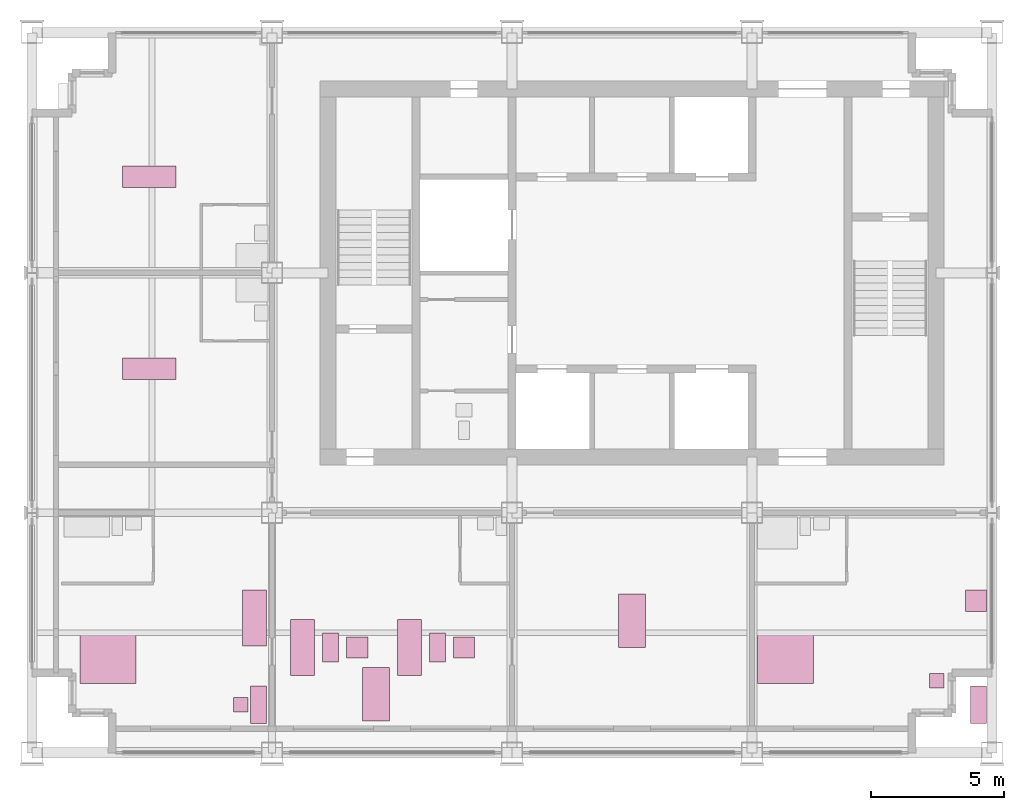
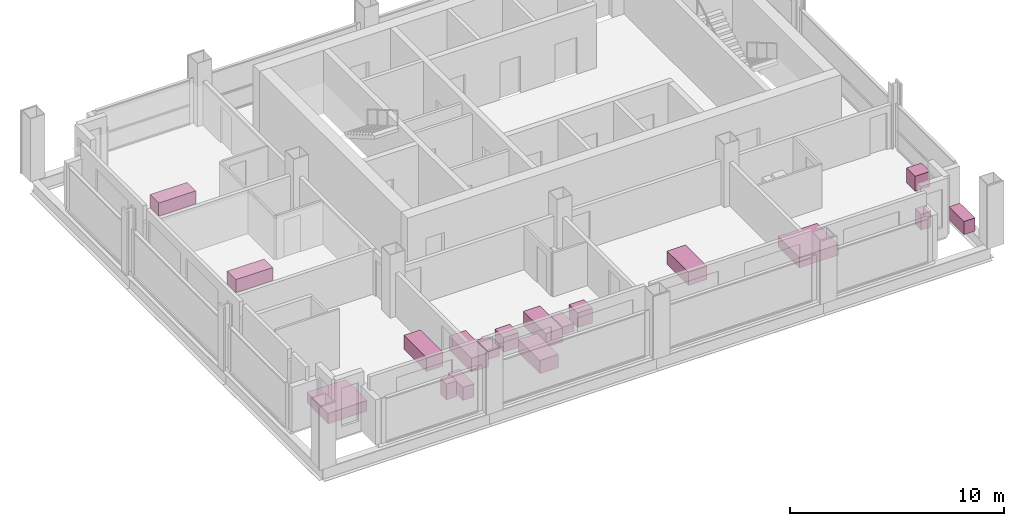
# One storey, part 11 of 11: 18 furniture elements.
"""IFC4 building model written with IfcOpenShell, lengths in metres."""

from ifc_helpers import new_model, si_unit, direction, frame, origin, origin_2d, place, context, subcontext, project, spatial, rectangle, extrude, element, save


model = new_model("IFC4")

# Units and contexts
model_context = context("Model", 3, precision=1e-05, world=origin(), true_north=direction((0.0, 1.0)))
body_context = subcontext(model_context, "Body", "Model", "MODEL_VIEW")
ifc_project = project(units=[si_unit("LENGTHUNIT", "METRE"), si_unit("AREAUNIT", "SQUARE_METRE"), si_unit("VOLUMEUNIT", "CUBIC_METRE"), si_unit("PLANEANGLEUNIT", "RADIAN"), si_unit("MASSUNIT", "GRAM", prefix="KILO")], contexts=[model_context])

# Site, building, storey
site_placement = place(None, origin())
site = spatial("IfcSite", under=ifc_project, at=site_placement, CompositionType="ELEMENT")
building_placement = place(site_placement, origin())
building = spatial("IfcBuilding", under=site, at=building_placement, Name="Loomwork Tower", CompositionType="ELEMENT")
storey_placement = place(building_placement, frame((0.0, 0.0, 266.199951171875)))
storey = spatial("IfcBuildingStorey", under=building, at=storey_placement, Name="L73", CompositionType="ELEMENT", Elevation=266.199951171875)

# Furniture
furniture_1_placement = place(storey_placement, frame((2.85009765625, 3.60009765625, 0.0), z_axis=(0.0, 0.0, 1.0), x_axis=(1.0, 0.0, 0.0)))
element("IfcFurniture", 1, at=furniture_1_placement, inside=storey, Name="King bed L73", PredefinedType="BED", context=body_context, shape_type="SweptSolid", body=[
    extrude(rectangle(XDim=2.10009765625, YDim=2.0, at=origin_2d()), origin(), (0.0, 0.0, 1.0), 0.60009765625),
])
furniture_2_placement = place(storey_placement, frame((8.5, 1.800048828125, 0.0), z_axis=(0.0, 0.0, 1.0), x_axis=(1.0, 0.0, 0.0)))
element("IfcFurniture", 2, at=furniture_2_placement, inside=storey, Name="Writing desk L73", PredefinedType="DESK", context=body_context, shape_type="SweptSolid", body=[
    extrude(rectangle(XDim=0.60009765625, YDim=1.39990234375, at=origin_2d()), origin(), (0.0, 0.0, 1.0), 0.75),
])
furniture_3_placement = place(storey_placement, frame((7.824951171875, 1.800048828125, 0.0), z_axis=(0.0, 0.0, 1.0), x_axis=(1.0, 0.0, 0.0)))
element("IfcFurniture", 3, at=furniture_3_placement, inside=storey, Name="Desk chair L73", PredefinedType="CHAIR", context=body_context, shape_type="SweptSolid", body=[
    extrude(rectangle(XDim=0.550048828125, YDim=0.550048828125, at=origin_2d()), origin(), (0.0, 0.0, 1.0), 0.89990234375),
])
for number, where, z_axis, x_axis, name in (
    (4, (8.35009765625, 5.050048828125, 0.0), (0.0, 0.0, 1.0), (1.0, 0.0, 0.0), "Sofa L73"),
    (5, (10.14990234375, 3.949951171875, 0.0), (0.0, 0.0, 1.0), (1.0, 0.0, 0.0), "Sofa L73"),
):
    element("IfcFurniture", number, at=place(storey_placement, frame(where, z_axis=z_axis, x_axis=x_axis)), inside=storey, Name=name, PredefinedType="SOFA", context=body_context, shape_type="SweptSolid", body=[
        extrude(rectangle(XDim=0.89990234375, YDim=2.10009765625, at=origin_2d()), origin(), (0.0, 0.0, 1.0), 0.800048828125),
    ])
furniture_4_placement = place(storey_placement, frame((11.199951171875, 3.949951171875, 0.0), z_axis=(0.0, 0.0, 1.0), x_axis=(1.0, 0.0, 0.0)))
element("IfcFurniture", 6, at=furniture_4_placement, inside=storey, Name="Coffee table L73", PredefinedType="TABLE", context=body_context, shape_type="SweptSolid", body=[
    extrude(rectangle(XDim=0.60009765625, YDim=1.10009765625, at=origin_2d()), origin(), (0.0, 0.0, 1.0), 0.449951171875),
])
furniture_5_placement = place(storey_placement, frame((12.199951171875, 3.949951171875, 0.0), z_axis=(0.0, 0.0, 1.0), x_axis=(1.0, 0.0, 0.0)))
element("IfcFurniture", 7, at=furniture_5_placement, inside=storey, Name="Lounge armchair L73", PredefinedType="CHAIR", context=body_context, shape_type="SweptSolid", body=[
    extrude(rectangle(XDim=0.800048828125, YDim=0.800048828125, at=origin_2d()), origin(), (0.0, 0.0, 1.0), 0.85009765625),
])
furniture_6_placement = place(storey_placement, frame((14.14990234375, 3.949951171875, 0.0), z_axis=(0.0, 0.0, 1.0), x_axis=(1.0, 0.0, 0.0)))
element("IfcFurniture", 8, at=furniture_6_placement, inside=storey, Name="Sofa L73", PredefinedType="SOFA", context=body_context, shape_type="SweptSolid", body=[
    extrude(rectangle(XDim=0.89990234375, YDim=2.10009765625, at=origin_2d()), origin(), (0.0, 0.0, 1.0), 0.800048828125),
])
furniture_7_placement = place(storey_placement, frame((15.199951171875, 3.949951171875, 0.0), z_axis=(0.0, 0.0, 1.0), x_axis=(1.0, 0.0, 0.0)))
element("IfcFurniture", 9, at=furniture_7_placement, inside=storey, Name="Coffee table L73", PredefinedType="TABLE", context=body_context, shape_type="SweptSolid", body=[
    extrude(rectangle(XDim=0.60009765625, YDim=1.10009765625, at=origin_2d()), origin(), (0.0, 0.0, 1.0), 0.449951171875),
])
furniture_8_placement = place(storey_placement, frame((16.199951171875, 3.949951171875, 0.0), z_axis=(0.0, 0.0, 1.0), x_axis=(1.0, 0.0, 0.0)))
element("IfcFurniture", 10, at=furniture_8_placement, inside=storey, Name="Lounge armchair L73", PredefinedType="CHAIR", context=body_context, shape_type="SweptSolid", body=[
    extrude(rectangle(XDim=0.800048828125, YDim=0.800048828125, at=origin_2d()), origin(), (0.0, 0.0, 1.0), 0.85009765625),
])
for number, where, z_axis, x_axis, name in (
    (11, (12.89990234375, 2.199951171875, 0.0), (0.0, 0.0, 1.0), (1.0, 0.0, 0.0), "Dining table L73"),
    (12, (22.5, 4.949951171875, 0.0), (0.0, 0.0, 1.0), (1.0, 0.0, 0.0), "Dining table L73"),
):
    element("IfcFurniture", number, at=place(storey_placement, frame(where, z_axis=z_axis, x_axis=x_axis)), inside=storey, Name=name, PredefinedType="TABLE", context=body_context, shape_type="SweptSolid", body=[
        extrude(rectangle(XDim=1.0, YDim=2.0, at=origin_2d()), origin(), (0.0, 0.0, 1.0), 0.75),
    ])
furniture_9_placement = place(storey_placement, frame((28.25, 3.60009765625, 0.0), z_axis=(0.0, 0.0, 1.0), x_axis=(1.0, 0.0, 0.0)))
element("IfcFurniture", 13, at=furniture_9_placement, inside=storey, Name="King bed L73", PredefinedType="BED", context=body_context, shape_type="SweptSolid", body=[
    extrude(rectangle(XDim=2.10009765625, YDim=2.0, at=origin_2d()), origin(), (0.0, 0.0, 1.0), 0.60009765625),
])
furniture_10_placement = place(storey_placement, frame((35.5, 1.800048828125, 0.0), z_axis=(0.0, 0.0, 1.0), x_axis=(1.0, 0.0, 0.0)))
element("IfcFurniture", 14, at=furniture_10_placement, inside=storey, Name="Writing desk L73", PredefinedType="DESK", context=body_context, shape_type="SweptSolid", body=[
    extrude(rectangle(XDim=0.60009765625, YDim=1.39990234375, at=origin_2d()), origin(), (0.0, 0.0, 1.0), 0.75),
])
furniture_11_placement = place(storey_placement, frame((33.925048828125, 2.699951171875, 0.0), z_axis=(0.0, 0.0, 1.0), x_axis=(1.0, 0.0, 0.0)))
element("IfcFurniture", 15, at=furniture_11_placement, inside=storey, Name="Desk chair L73", PredefinedType="CHAIR", context=body_context, shape_type="SweptSolid", body=[
    extrude(rectangle(XDim=0.550048828125, YDim=0.550048828125, at=origin_2d()), origin(), (0.0, 0.0, 1.0), 0.89990234375),
])
furniture_12_placement = place(storey_placement, frame((35.39990234375, 5.699951171875, 0.0), z_axis=(0.0, 0.0, 1.0), x_axis=(1.0, 0.0, 0.0)))
element("IfcFurniture", 16, at=furniture_12_placement, inside=storey, Name="Lounge armchair L73", PredefinedType="CHAIR", context=body_context, shape_type="SweptSolid", body=[
    extrude(rectangle(XDim=0.800048828125, YDim=0.800048828125, at=origin_2d()), origin(), (0.0, 0.0, 1.0), 0.85009765625),
])
for number, where, z_axis, x_axis, name in (
    (17, (4.39990234375, 14.39990234375, 0.0), (0.0, 0.0, 1.0), (1.0, 0.0, 0.0), "Treatment couch L73"),
    (18, (4.39990234375, 21.60009765625, 0.0), (0.0, 0.0, 1.0), (1.0, 0.0, 0.0), "Treatment couch L73"),
):
    element("IfcFurniture", number, at=place(storey_placement, frame(where, z_axis=z_axis, x_axis=x_axis)), inside=storey, Name=name, PredefinedType="BED", context=body_context, shape_type="SweptSolid", body=[
        extrude(rectangle(XDim=2.0, YDim=0.800048828125, at=origin_2d()), origin(), (0.0, 0.0, 1.0), 0.75),
    ])

save(model, "model.ifc")
